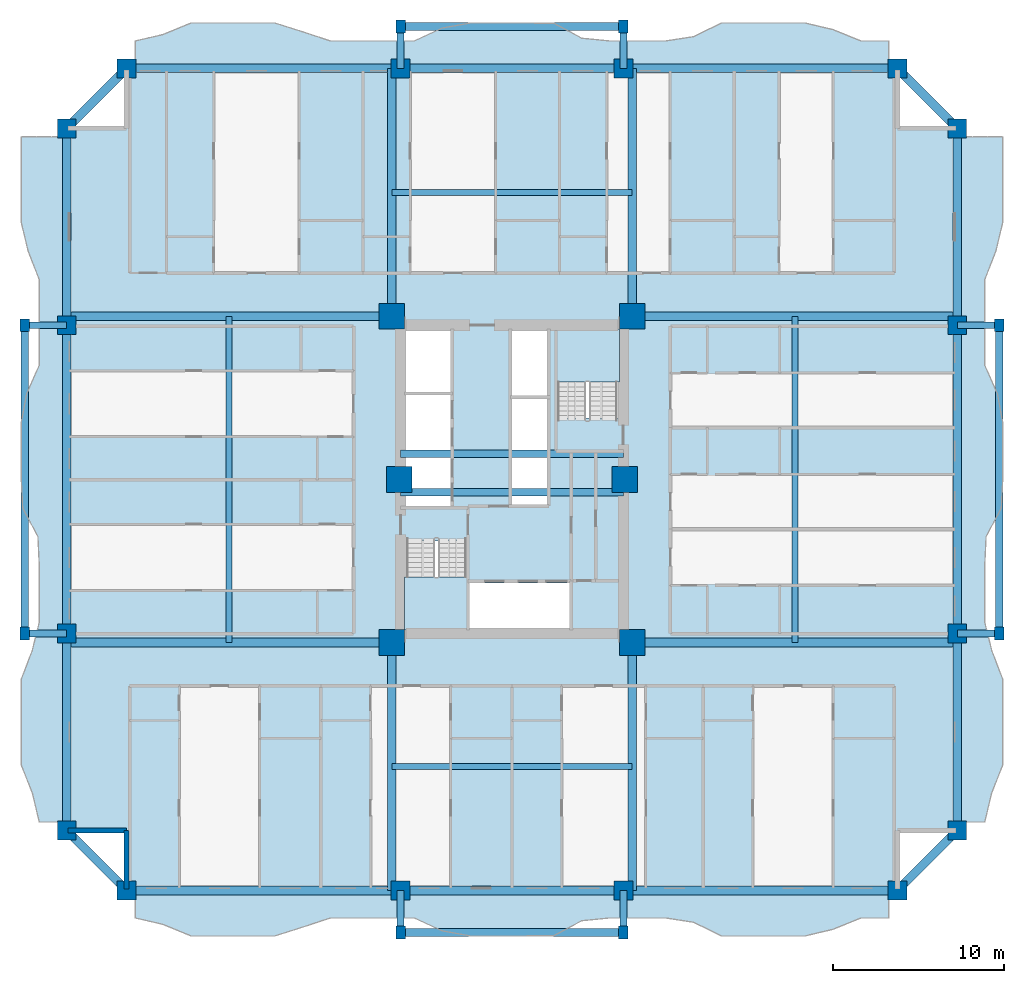
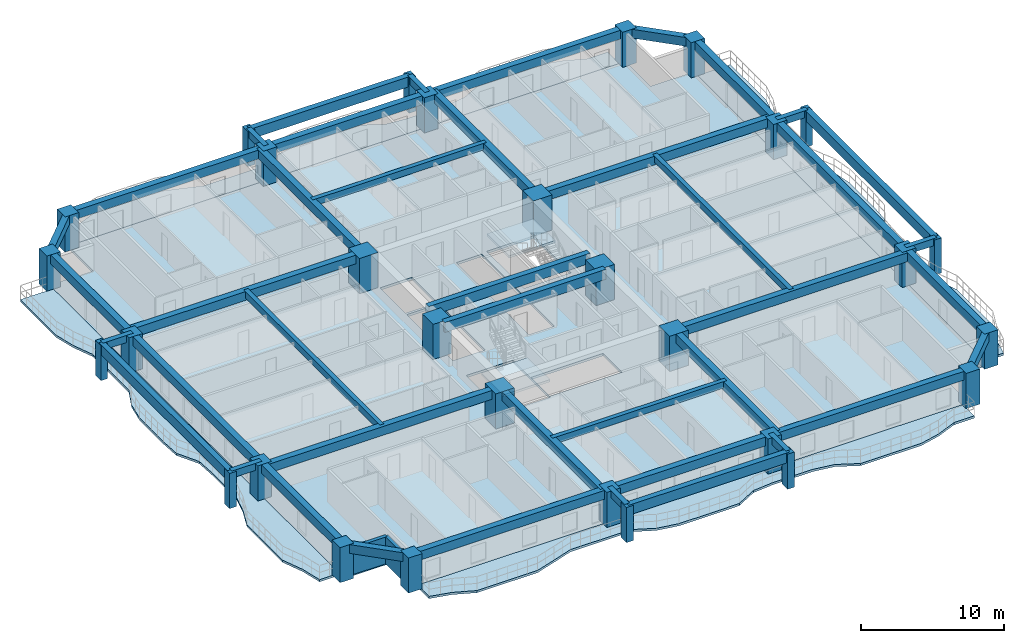
# One storey, part 1 of 16: 42 beams, 30 columns, 7 slabs, 2 walls, 2 elements without a shape of their own.
"""IFC4 building model written with IfcOpenShell, lengths in metres."""

from ifc_helpers import new_model, si_unit, direction, frame, frame_2d, origin, origin_2d, place, context, subcontext, project, spatial, polyline, rectangle, outline, extrude, source, transform, mapped, material, layer, layer_set, material_profile, profile_set, type_object, element, aggregate, save


model = new_model("IFC4")

# Units and contexts
model_context = context("Model", 3, precision=1e-05, world=origin(), true_north=direction((0.0, 1.0)))
body_context = subcontext(model_context, "Body", "Model", "MODEL_VIEW")
ifc_project = project(units=[si_unit("LENGTHUNIT", "METRE"), si_unit("AREAUNIT", "SQUARE_METRE"), si_unit("VOLUMEUNIT", "CUBIC_METRE"), si_unit("PLANEANGLEUNIT", "RADIAN"), si_unit("MASSUNIT", "GRAM", prefix="KILO")], contexts=[model_context])

# Site, building, storey
site_placement = place(None, origin())
site = spatial("IfcSite", under=ifc_project, at=site_placement, CompositionType="ELEMENT")
building_placement = place(site_placement, origin())
building = spatial("IfcBuilding", under=site, at=building_placement, Name="Saelheon Loggia Tower", CompositionType="ELEMENT")
storey_placement = place(building_placement, frame((0.0, 0.0, 37.39990234375)))
storey = spatial("IfcBuildingStorey", under=building, at=storey_placement, Name="L11", CompositionType="ELEMENT", Elevation=37.39990234375)

# Columns
ifc_material_1 = material(Name="Concrete C60/75", Category="concrete")
ifc_material_profile_1 = material_profile(ifc_material_1, rectangle(XDim=1.5, YDim=1.5, at=origin_2d()), Name="RC-1500x1500")
ifc_profile_set_1 = profile_set([ifc_material_profile_1], Name="Concrete C60/75")
column_type_1 = type_object("IfcColumnType", Name="Col_Core_RC1500", PredefinedType="COLUMN", material=ifc_profile_set_1)
shared_shape_1 = source(origin(), body_context, "Body", "SweptSolid", [
    extrude(rectangle(XDim=1.5, YDim=1.5, at=origin_2d()), origin(), (0.0, 0.0, 1.0), 3.0),
])
for number, where, z_axis, x_axis, name in (
    (1, (30.97998046875, 17.47998046875, 0.0), (0.0, 0.0, 1.0), (1.0, 0.0, 0.0), "L11 Core Column CR-SW"),
    (2, (45.02001953125, 17.47998046875, 0.0), (0.0, 0.0, 1.0), (1.0, 0.0, 0.0), "L11 Core Column CR-SE"),
    (3, (30.97998046875, 36.52001953125, 0.0), (0.0, 0.0, 1.0), (1.0, 0.0, 0.0), "L11 Core Column CR-NW"),
    (4, (45.02001953125, 36.52001953125, 0.0), (0.0, 0.0, 1.0), (1.0, 0.0, 0.0), "L11 Core Column CR-NE"),
    (5, (31.419921875, 27.0, 0.0), (0.0, 0.0, 1.0), (1.0, 0.0, 0.0), "L11 Core Column CR-MW"),
    (6, (44.580078125, 27.0, 0.0), (0.0, 0.0, 1.0), (1.0, 0.0, 0.0), "L11 Core Column CR-ME"),
):
    element("IfcColumn", number, at=place(storey_placement, frame(where, z_axis=z_axis, x_axis=x_axis)), inside=storey, type_object=column_type_1, Name=name, PredefinedType="COLUMN", context=body_context, shape_type="MappedRepresentation", body=[
        mapped(shared_shape_1, transform((0.0, 0.0, 0.0), scale=1.0)),
    ])
ifc_material_2 = material(Name="Concrete C50/60", Category="concrete")
ifc_material_profile_2 = material_profile(ifc_material_2, rectangle(XDim=1.10009765625, YDim=1.10009765625, at=origin_2d()), Name="RC-1100x1100")
ifc_profile_set_2 = profile_set([ifc_material_profile_2], Name="Concrete C50/60")
column_type_2 = type_object("IfcColumnType", Name="Col_PerimExt_RC1100", PredefinedType="COLUMN", material=ifc_profile_set_2)
shared_shape_2 = source(origin(), body_context, "Body", "SweptSolid", [
    extrude(rectangle(XDim=1.10009765625, YDim=1.10009765625, at=origin_2d()), origin(), (0.0, 0.0, 1.0), 3.0),
])
for number, where, z_axis, x_axis, name in (
    (7, (15.5, 3.0, 0.0), (0.0, 0.0, 1.0), (1.0, 0.0, 0.0), "L11 Perimeter Column TP-S1"),
    (8, (31.5, 3.0, 0.0), (0.0, 0.0, 1.0), (1.0, 0.0, 0.0), "L11 Perimeter Column TP-SA"),
    (9, (44.5, 3.0, 0.0), (0.0, 0.0, 1.0), (1.0, 0.0, 0.0), "L11 Perimeter Column TP-SB"),
    (10, (60.5, 3.0, 0.0), (0.0, 0.0, 1.0), (1.0, 0.0, 0.0), "L11 Perimeter Column TP-S2"),
    (11, (64.0, 6.5, 0.0), (0.0, 0.0, 1.0), (1.0, 0.0, 0.0), "L11 Perimeter Column TP-E1"),
    (12, (64.0, 18.0, 0.0), (0.0, 0.0, 1.0), (1.0, 0.0, 0.0), "L11 Perimeter Column TP-EA"),
    (13, (64.0, 36.0, 0.0), (0.0, 0.0, 1.0), (1.0, 0.0, 0.0), "L11 Perimeter Column TP-EB"),
    (14, (64.0, 47.5, 0.0), (0.0, 0.0, 1.0), (1.0, 0.0, 0.0), "L11 Perimeter Column TP-E2"),
    (15, (60.5, 51.0, 0.0), (0.0, 0.0, 1.0), (1.0, 0.0, 0.0), "L11 Perimeter Column TP-N2"),
    (16, (44.5, 51.0, 0.0), (0.0, 0.0, 1.0), (1.0, 0.0, 0.0), "L11 Perimeter Column TP-NB"),
    (17, (31.5, 51.0, 0.0), (0.0, 0.0, 1.0), (1.0, 0.0, 0.0), "L11 Perimeter Column TP-NA"),
    (18, (15.5, 51.0, 0.0), (0.0, 0.0, 1.0), (1.0, 0.0, 0.0), "L11 Perimeter Column TP-N1"),
    (19, (12.0, 47.5, 0.0), (0.0, 0.0, 1.0), (1.0, 0.0, 0.0), "L11 Perimeter Column TP-W2"),
    (20, (12.0, 36.0, 0.0), (0.0, 0.0, 1.0), (1.0, 0.0, 0.0), "L11 Perimeter Column TP-WB"),
    (21, (12.0, 18.0, 0.0), (0.0, 0.0, 1.0), (1.0, 0.0, 0.0), "L11 Perimeter Column TP-WA"),
    (22, (12.0, 6.5, 0.0), (0.0, 0.0, 1.0), (1.0, 0.0, 0.0), "L11 Perimeter Column TP-W1"),
):
    element("IfcColumn", number, at=place(storey_placement, frame(where, z_axis=z_axis, x_axis=x_axis)), inside=storey, type_object=column_type_2, Name=name, PredefinedType="COLUMN", context=body_context, shape_type="MappedRepresentation", body=[
        mapped(shared_shape_2, transform((0.0, 0.0, 0.0), scale=1.0)),
    ])
ifc_material_3 = material(Name="Precast Concrete C45/55", Category="concrete")
ifc_material_profile_3 = material_profile(ifc_material_3, rectangle(XDim=0.550048828125, YDim=0.75, at=origin_2d()), Name="RC-550x750")
ifc_profile_set_3 = profile_set([ifc_material_profile_3], Name="Precast Concrete C45/55")
column_type_3 = type_object("IfcColumnType", Name="Col_Loggia_Pilaster_750", PredefinedType="PILASTER", material=ifc_profile_set_3)
shared_shape_3 = source(origin(), body_context, "Body", "SweptSolid", [
    extrude(rectangle(XDim=0.550048828125, YDim=0.75, at=origin_2d()), origin(), (0.0, 0.0, 1.0), 3.0),
])
for number, where, z_axis, x_axis, name in (
    (23, (31.5, 0.550048828125, 0.0), (0.0, 0.0, 1.0), (1.0, 0.0, 0.0), "L11 Loggia Frame Pilaster LP-S1"),
    (24, (44.5, 0.550048828125, 0.0), (0.0, 0.0, 1.0), (1.0, 0.0, 0.0), "L11 Loggia Frame Pilaster LP-S2"),
    (25, (31.5, 53.449951171875, 0.0), (0.0, 0.0, 1.0), (1.0, 0.0, 0.0), "L11 Loggia Frame Pilaster LP-N1"),
    (26, (44.5, 53.449951171875, 0.0), (0.0, 0.0, 1.0), (1.0, 0.0, 0.0), "L11 Loggia Frame Pilaster LP-N2"),
    (27, (66.449951171875, 18.0, 0.0), (0.0, 0.0, 1.0), (1.0, 0.0, 0.0), "L11 Loggia Frame Pilaster LP-E1"),
    (28, (66.449951171875, 36.0, 0.0), (0.0, 0.0, 1.0), (1.0, 0.0, 0.0), "L11 Loggia Frame Pilaster LP-E2"),
    (29, (9.550048828125, 18.0, 0.0), (0.0, 0.0, 1.0), (1.0, 0.0, 0.0), "L11 Loggia Frame Pilaster LP-W1"),
    (30, (9.550048828125, 36.0, 0.0), (0.0, 0.0, 1.0), (1.0, 0.0, 0.0), "L11 Loggia Frame Pilaster LP-W2"),
):
    element("IfcColumn", number, at=place(storey_placement, frame(where, z_axis=z_axis, x_axis=x_axis)), inside=storey, type_object=column_type_3, Name=name, PredefinedType="PILASTER", context=body_context, shape_type="MappedRepresentation", body=[
        mapped(shared_shape_3, transform((0.0, 0.0, 0.0), scale=1.0)),
    ])

# Beams
ifc_material_profile_4 = material_profile(ifc_material_2, rectangle(XDim=0.449951171875, YDim=0.85009765625, at=origin_2d()), Name="RC-450x850")
ifc_profile_set_4 = profile_set([ifc_material_profile_4], Name="Concrete C50/60")
beam_type_1 = type_object("IfcBeamType", Name="Beam_CoreLintel_RC450x850", PredefinedType="LINTEL", material=ifc_profile_set_4)
shared_shape_4 = source(origin(), body_context, "Body", "SweptSolid", [
    extrude(rectangle(XDim=0.449951171875, YDim=0.85009765625, at=origin_2d()), origin(), (0.0, 0.0, 1.0), 13.0),
])
for number, where, z_axis, x_axis, name in (
    (31, (31.5, 26.25, 2.5751953125), (1.0, 0.0, 0.0), (0.0, 1.0, 0.0), "L11 Core Coupling Lintel 1"),
    (32, (31.5, 28.5, 2.5751953125), (1.0, 0.0, 0.0), (0.0, 1.0, 0.0), "L11 Core Coupling Lintel 2"),
):
    element("IfcBeam", number, at=place(storey_placement, frame(where, z_axis=z_axis, x_axis=x_axis)), inside=storey, type_object=beam_type_1, Name=name, PredefinedType="LINTEL", context=body_context, shape_type="MappedRepresentation", body=[
        mapped(shared_shape_4, transform((0.0, 0.0, 0.0), scale=1.0)),
    ])
ifc_material_profile_5 = material_profile(ifc_material_3, rectangle(XDim=0.449951171875, YDim=0.85009765625, at=origin_2d()), Name="RC-450x850")
ifc_profile_set_5 = profile_set([ifc_material_profile_5], Name="Precast Concrete C45/55")
beam_type_2 = type_object("IfcBeamType", Name="Beam_LoggiaSpandrel_RC450x850", PredefinedType="SPANDREL", material=ifc_profile_set_5)
for number, where, z_axis, x_axis, name in (
    (33, (31.5, 0.550048828125, 2.5751953125), (1.0, 0.0, 0.0), (0.0, 1.0, 0.0), "L11 Loggia Spandrel Beam S"),
    (34, (31.5, 53.449951171875, 2.5751953125), (1.0, 0.0, 0.0), (0.0, 1.0, 0.0), "L11 Loggia Spandrel Beam N"),
):
    element("IfcBeam", number, at=place(storey_placement, frame(where, z_axis=z_axis, x_axis=x_axis)), inside=storey, type_object=beam_type_2, Name=name, PredefinedType="SPANDREL", context=body_context, shape_type="MappedRepresentation", body=[
        mapped(shared_shape_4, transform((0.0, 0.0, 0.0), scale=1.0)),
    ])
ifc_material_4 = material(Name="Concrete C45/55", Category="concrete")
ifc_material_profile_6 = material_profile(ifc_material_4, rectangle(XDim=0.5, YDim=0.75, at=origin_2d()), Name="RC-500x750")
ifc_profile_set_6 = profile_set([ifc_material_profile_6], Name="Concrete C45/55")
beam_type_3 = type_object("IfcBeamType", Name="Beam_FloorGirder_RC500x750", PredefinedType="BEAM", material=ifc_profile_set_6)
shared_shape_5 = source(origin(), body_context, "Body", "SweptSolid", [
    extrude(rectangle(XDim=0.5, YDim=0.75, at=origin_2d()), origin(), (0.0, 0.0, 1.0), 14.47998046875),
])
for number, where, z_axis, x_axis, name in (
    (35, (30.97998046875, 17.47998046875, 2.625), (0.0, -1.0, 0.0), (1.0, 0.0, 0.0), "L11 Radial Floor Girder RAD-SW-S"),
    (36, (45.02001953125, 17.47998046875, 2.625), (0.0, -1.0, 0.0), (1.0, 0.0, 0.0), "L11 Radial Floor Girder RAD-SE-S"),
    (37, (30.97998046875, 36.52001953125, 2.625), (0.0, 1.0, 0.0), (-1.0, 0.0, 0.0), "L11 Radial Floor Girder RAD-NW-N"),
    (38, (45.02001953125, 36.52001953125, 2.625), (0.0, 1.0, 0.0), (-1.0, 0.0, 0.0), "L11 Radial Floor Girder RAD-NE-N"),
):
    element("IfcBeam", number, at=place(storey_placement, frame(where, z_axis=z_axis, x_axis=x_axis)), inside=storey, type_object=beam_type_3, Name=name, PredefinedType="BEAM", context=body_context, shape_type="MappedRepresentation", body=[
        mapped(shared_shape_5, transform((0.0, 0.0, 0.0), scale=1.0)),
    ])
ifc_material_profile_7 = material_profile(ifc_material_4, rectangle(XDim=0.5, YDim=0.75, at=origin_2d()), Name="RC-500x750")
ifc_profile_set_7 = profile_set([ifc_material_profile_7], Name="Concrete C45/55")
beam_type_4 = type_object("IfcBeamType", Name="Beam_PerimGirder_RC500x750", PredefinedType="BEAM", material=ifc_profile_set_7)
shared_shape_6 = source(origin(), body_context, "Body", "SweptSolid", [
    extrude(rectangle(XDim=0.5, YDim=0.75, at=origin_2d()), origin(), (0.0, 0.0, 1.0), 16.0),
])
for number, where, z_axis, x_axis, name in (
    (39, (15.5, 3.0, 2.625), (1.0, 0.0, 0.0), (0.0, 1.0, 0.0), "L11 Perimeter Frame Girder 01"),
    (40, (44.5, 3.0, 2.625), (1.0, 0.0, 0.0), (0.0, 1.0, 0.0), "L11 Perimeter Frame Girder 03"),
    (41, (60.5, 51.0, 2.625), (-1.0, 0.0, 0.0), (0.0, -1.0, 0.0), "L11 Perimeter Frame Girder 09"),
    (42, (31.5, 51.0, 2.625), (-1.0, 0.0, 0.0), (0.0, -1.0, 0.0), "L11 Perimeter Frame Girder 11"),
):
    element("IfcBeam", number, at=place(storey_placement, frame(where, z_axis=z_axis, x_axis=x_axis)), inside=storey, type_object=beam_type_4, Name=name, PredefinedType="BEAM", context=body_context, shape_type="MappedRepresentation", body=[
        mapped(shared_shape_6, transform((0.0, 0.0, 0.0), scale=1.0)),
    ])
shared_shape_7 = source(origin(), body_context, "Body", "SweptSolid", [
    extrude(rectangle(XDim=0.5, YDim=0.75, at=origin_2d()), origin(), (0.0, 0.0, 1.0), 13.0),
])
for number, where, z_axis, x_axis, name in (
    (43, (31.5, 3.0, 2.625), (1.0, 0.0, 0.0), (0.0, 1.0, 0.0), "L11 Perimeter Frame Girder 02"),
    (44, (44.5, 51.0, 2.625), (-1.0, 0.0, 0.0), (0.0, -1.0, 0.0), "L11 Perimeter Frame Girder 10"),
):
    element("IfcBeam", number, at=place(storey_placement, frame(where, z_axis=z_axis, x_axis=x_axis)), inside=storey, type_object=beam_type_4, Name=name, PredefinedType="BEAM", context=body_context, shape_type="MappedRepresentation", body=[
        mapped(shared_shape_7, transform((0.0, 0.0, 0.0), scale=1.0)),
    ])
shared_shape_8 = source(origin(), body_context, "Body", "SweptSolid", [
    extrude(rectangle(XDim=0.5, YDim=0.75, at=origin_2d()), origin(), (0.0, 0.0, 1.0), 4.94970703125),
])
for number, where, z_axis, x_axis, name in (
    (45, (60.5, 3.0, 2.625), (0.707106781187, 0.707106781187, 0.0), (-0.707106781187, 0.707106781187, 0.0), "L11 Perimeter Frame Girder 04"),
    (46, (64.0, 47.5, 2.625), (-0.707106781187, 0.707106781187, 0.0), (-0.707106781187, -0.707106781187, 0.0), "L11 Perimeter Frame Girder 08"),
    (47, (15.5, 51.0, 2.625), (-0.707106781187, -0.707106781187, 0.0), (0.707106781187, -0.707106781187, 0.0), "L11 Perimeter Frame Girder 12"),
    (48, (12.0, 6.5, 2.625), (0.707106781187, -0.707106781187, 0.0), (0.707106781187, 0.707106781187, 0.0), "L11 Perimeter Frame Girder 16"),
):
    element("IfcBeam", number, at=place(storey_placement, frame(where, z_axis=z_axis, x_axis=x_axis)), inside=storey, type_object=beam_type_4, Name=name, PredefinedType="BEAM", context=body_context, shape_type="MappedRepresentation", body=[
        mapped(shared_shape_8, transform((0.0, 0.0, 0.0), scale=1.0)),
    ])
shared_shape_9 = source(origin(), body_context, "Body", "SweptSolid", [
    extrude(rectangle(XDim=0.5, YDim=0.75, at=origin_2d()), origin(), (0.0, 0.0, 1.0), 11.5),
])
for number, where, z_axis, x_axis, name in (
    (49, (64.0, 6.5, 2.625), (0.0, 1.0, 0.0), (-1.0, 0.0, 0.0), "L11 Perimeter Frame Girder 05"),
    (50, (64.0, 36.0, 2.625), (0.0, 1.0, 0.0), (-1.0, 0.0, 0.0), "L11 Perimeter Frame Girder 07"),
    (51, (12.0, 47.5, 2.625), (0.0, -1.0, 0.0), (1.0, 0.0, 0.0), "L11 Perimeter Frame Girder 13"),
    (52, (12.0, 18.0, 2.625), (0.0, -1.0, 0.0), (1.0, 0.0, 0.0), "L11 Perimeter Frame Girder 15"),
):
    element("IfcBeam", number, at=place(storey_placement, frame(where, z_axis=z_axis, x_axis=x_axis)), inside=storey, type_object=beam_type_4, Name=name, PredefinedType="BEAM", context=body_context, shape_type="MappedRepresentation", body=[
        mapped(shared_shape_9, transform((0.0, 0.0, 0.0), scale=1.0)),
    ])
shared_shape_10 = source(origin(), body_context, "Body", "SweptSolid", [
    extrude(rectangle(XDim=0.5, YDim=0.75, at=origin_2d()), origin(), (0.0, 0.0, 1.0), 18.0),
])
for number, where, z_axis, x_axis, name in (
    (53, (64.0, 18.0, 2.625), (0.0, 1.0, 0.0), (-1.0, 0.0, 0.0), "L11 Perimeter Frame Girder 06"),
    (54, (12.0, 36.0, 2.625), (0.0, -1.0, 0.0), (1.0, 0.0, 0.0), "L11 Perimeter Frame Girder 14"),
):
    element("IfcBeam", number, at=place(storey_placement, frame(where, z_axis=z_axis, x_axis=x_axis)), inside=storey, type_object=beam_type_4, Name=name, PredefinedType="BEAM", context=body_context, shape_type="MappedRepresentation", body=[
        mapped(shared_shape_10, transform((0.0, 0.0, 0.0), scale=1.0)),
    ])
shared_shape_11 = source(origin(), body_context, "Body", "SweptSolid", [
    extrude(rectangle(XDim=0.5, YDim=0.75, at=origin_2d()), origin(), (0.0, 0.0, 1.0), 18.97998046875),
])
for number, where, z_axis, x_axis, name in (
    (55, (30.97998046875, 17.47998046875, 2.625), (-1.0, 0.0, 0.0), (0.0, -1.0, 0.0), "L11 Radial Floor Girder RAD-SW-W"),
    (56, (30.97998046875, 36.52001953125, 2.625), (-1.0, 0.0, 0.0), (0.0, -1.0, 0.0), "L11 Radial Floor Girder RAD-NW-W"),
    (57, (45.02001953125, 17.47998046875, 2.625), (1.0, 0.0, 0.0), (0.0, 1.0, 0.0), "L11 Radial Floor Girder RAD-SE-E"),
    (58, (45.02001953125, 36.52001953125, 2.625), (1.0, 0.0, 0.0), (0.0, 1.0, 0.0), "L11 Radial Floor Girder RAD-NE-E"),
):
    element("IfcBeam", number, at=place(storey_placement, frame(where, z_axis=z_axis, x_axis=x_axis)), inside=storey, type_object=beam_type_3, Name=name, PredefinedType="BEAM", context=body_context, shape_type="MappedRepresentation", body=[
        mapped(shared_shape_11, transform((0.0, 0.0, 0.0), scale=1.0)),
    ])
ifc_material_5 = material(Name="Concrete C40/50", Category="concrete")
ifc_material_profile_8 = material_profile(ifc_material_5, rectangle(XDim=0.35009765625, YDim=0.550048828125, at=origin_2d()), Name="RC-350x550")
ifc_profile_set_8 = profile_set([ifc_material_profile_8], Name="Concrete C40/50")
beam_type_5 = type_object("IfcBeamType", Name="Beam_Joist_RC350x550", PredefinedType="JOIST", material=ifc_profile_set_8)
shared_shape_12 = source(origin(), body_context, "Body", "SweptSolid", [
    extrude(rectangle(XDim=0.35009765625, YDim=0.550048828125, at=origin_2d()), origin(), (0.0, 0.0, 1.0), 14.0400390625),
])
for number, where, z_axis, x_axis, name in (
    (59, (30.97998046875, 10.239990234375, 2.72509765625), (1.0, 0.0, 0.0), (0.0, 1.0, 0.0), "L11 South Floor Joist"),
    (60, (30.97998046875, 43.760009765625, 2.72509765625), (1.0, 0.0, 0.0), (0.0, 1.0, 0.0), "L11 North Floor Joist"),
):
    element("IfcBeam", number, at=place(storey_placement, frame(where, z_axis=z_axis, x_axis=x_axis)), inside=storey, type_object=beam_type_5, Name=name, PredefinedType="JOIST", context=body_context, shape_type="MappedRepresentation", body=[
        mapped(shared_shape_12, transform((0.0, 0.0, 0.0), scale=1.0)),
    ])
shared_shape_13 = source(origin(), body_context, "Body", "SweptSolid", [
    extrude(rectangle(XDim=0.35009765625, YDim=0.550048828125, at=origin_2d()), origin(), (0.0, 0.0, 1.0), 19.0400390625),
])
for number, where, z_axis, x_axis, name in (
    (61, (21.489990234375, 17.47998046875, 2.72509765625), (0.0, 1.0, 0.0), (-1.0, 0.0, 0.0), "L11 West Floor Joist"),
    (62, (54.510009765625, 17.47998046875, 2.72509765625), (0.0, 1.0, 0.0), (-1.0, 0.0, 0.0), "L11 East Floor Joist"),
):
    element("IfcBeam", number, at=place(storey_placement, frame(where, z_axis=z_axis, x_axis=x_axis)), inside=storey, type_object=beam_type_5, Name=name, PredefinedType="JOIST", context=body_context, shape_type="MappedRepresentation", body=[
        mapped(shared_shape_13, transform((0.0, 0.0, 0.0), scale=1.0)),
    ])
ifc_material_profile_9 = material_profile(ifc_material_3, rectangle(XDim=0.39990234375, YDim=0.60009765625, at=origin_2d()), Name="RC-400x600")
ifc_profile_set_9 = profile_set([ifc_material_profile_9], Name="Precast Concrete C45/55")
beam_type_6 = type_object("IfcBeamType", Name="Beam_LoggiaTie_RC400x600", PredefinedType="BEAM", material=ifc_profile_set_9)
shared_shape_14 = source(origin(), body_context, "Body", "SweptSolid", [
    extrude(rectangle(XDim=0.39990234375, YDim=0.60009765625, at=origin_2d()), origin(), (0.0, 0.0, 1.0), 2.449951171875),
])
for number, where, z_axis, x_axis, name in (
    (63, (31.5, 3.0, 2.7001953125), (0.0, -1.0, 0.0), (1.0, 0.0, 0.0), "L11 Loggia Frame Tie Beam LP-S1"),
    (64, (44.5, 3.0, 2.7001953125), (0.0, -1.0, 0.0), (1.0, 0.0, 0.0), "L11 Loggia Frame Tie Beam LP-S2"),
    (65, (31.5, 51.0, 2.7001953125), (0.0, 1.0, 0.0), (-1.0, 0.0, 0.0), "L11 Loggia Frame Tie Beam LP-N1"),
    (66, (44.5, 51.0, 2.7001953125), (0.0, 1.0, 0.0), (-1.0, 0.0, 0.0), "L11 Loggia Frame Tie Beam LP-N2"),
    (67, (64.0, 18.0, 2.7001953125), (1.0, 0.0, 0.0), (0.0, 1.0, 0.0), "L11 Loggia Frame Tie Beam LP-E1"),
    (68, (64.0, 36.0, 2.7001953125), (1.0, 0.0, 0.0), (0.0, 1.0, 0.0), "L11 Loggia Frame Tie Beam LP-E2"),
    (69, (12.0, 18.0, 2.7001953125), (-1.0, 0.0, 0.0), (0.0, -1.0, 0.0), "L11 Loggia Frame Tie Beam LP-W1"),
    (70, (12.0, 36.0, 2.7001953125), (-1.0, 0.0, 0.0), (0.0, -1.0, 0.0), "L11 Loggia Frame Tie Beam LP-W2"),
):
    element("IfcBeam", number, at=place(storey_placement, frame(where, z_axis=z_axis, x_axis=x_axis)), inside=storey, type_object=beam_type_6, Name=name, PredefinedType="BEAM", context=body_context, shape_type="MappedRepresentation", body=[
        mapped(shared_shape_14, transform((0.0, 0.0, 0.0), scale=1.0)),
    ])
shared_shape_15 = source(origin(), body_context, "Body", "SweptSolid", [
    extrude(rectangle(XDim=0.449951171875, YDim=0.85009765625, at=origin_2d()), origin(), (0.0, 0.0, 1.0), 18.0),
])
for number, where, z_axis, x_axis, name in (
    (71, (66.449951171875, 18.0, 2.5751953125), (0.0, 1.0, 0.0), (-1.0, 0.0, 0.0), "L11 Loggia Spandrel Beam E"),
    (72, (9.550048828125, 18.0, 2.5751953125), (0.0, 1.0, 0.0), (-1.0, 0.0, 0.0), "L11 Loggia Spandrel Beam W"),
):
    element("IfcBeam", number, at=place(storey_placement, frame(where, z_axis=z_axis, x_axis=x_axis)), inside=storey, type_object=beam_type_2, Name=name, PredefinedType="SPANDREL", context=body_context, shape_type="MappedRepresentation", body=[
        mapped(shared_shape_15, transform((0.0, 0.0, 0.0), scale=1.0)),
    ])

# Slabs
ifc_layer_1 = layer(ifc_material_3, 0.18994140625)
ifc_layer_set_1 = layer_set([ifc_layer_1], Name="Precast Concrete C45/55")
slab_type_1 = type_object("IfcSlabType", Name="Slab_Loggia_Ext_190", PredefinedType="FLOOR", material=ifc_layer_set_1)
slab_1_placement = place(storey_placement, frame((0.0, 0.0, -0.18994140625)))
element("IfcSlab", 73, at=slab_1_placement, inside=storey, type_object=slab_type_1, Name="L11 Loggia Balcony Slab S", PredefinedType="FLOOR", context=body_context, shape_type="SweptSolid", body=[
    extrude(outline(polyline([(16.0, 1.39990234375), (17.629638671875, 1.023681640625), (19.25927734375, 0.35009765625), (20.888916015625, 0.35009765625), (22.5185546875, 0.35009765625), (24.148193359375, 0.35009765625), (25.77783203125, 0.864990234375), (27.407470703125, 1.39990234375), (29.037109375, 1.39990234375), (30.666748046875, 1.39990234375), (32.29638671875, 1.39990234375), (33.92578125, 0.646484375), (35.5556640625, 0.35009765625), (37.185302734375, 0.35009765625), (38.814697265625, 0.35009765625), (40.4443359375, 0.368408203125), (42.07421875, 1.238037109375), (43.70361328125, 1.39990234375), (45.333251953125, 1.39990234375), (46.962890625, 1.39990234375), (48.592529296875, 1.150390625), (50.22216796875, 0.35009765625), (51.851806640625, 0.35009765625), (53.4814453125, 0.35009765625), (55.111083984375, 0.35009765625), (56.74072265625, 0.736328125), (58.370361328125, 1.39990234375), (60.0, 1.39990234375), (60.0, 3.0), (16.0, 3.0), (16.0, 1.39990234375)])), origin(), (0.0, 0.0, 1.0), 0.18994140625),
])
slab_2_placement = place(storey_placement, frame((0.0, 0.0, -0.18994140625)))
element("IfcSlab", 74, at=slab_2_placement, inside=storey, type_object=slab_type_1, Name="L11 Loggia Balcony Slab N", PredefinedType="FLOOR", context=body_context, shape_type="SweptSolid", body=[
    extrude(outline(polyline([(16.0, 51.0), (60.0, 51.0), (60.0, 52.60009765625), (58.370361328125, 52.60009765625), (56.74072265625, 53.263671875), (55.111083984375, 53.64990234375), (53.4814453125, 53.64990234375), (51.851806640625, 53.64990234375), (50.22216796875, 53.64990234375), (48.592529296875, 52.849609375), (46.962890625, 52.60009765625), (45.333251953125, 52.60009765625), (43.70361328125, 52.60009765625), (42.07421875, 52.761962890625), (40.4443359375, 53.631591796875), (38.814697265625, 53.64990234375), (37.185302734375, 53.64990234375), (35.5556640625, 53.64990234375), (33.92578125, 53.353515625), (32.29638671875, 52.60009765625), (30.666748046875, 52.60009765625), (29.037109375, 52.60009765625), (27.407470703125, 52.60009765625), (25.77783203125, 53.135009765625), (24.148193359375, 53.64990234375), (22.5185546875, 53.64990234375), (20.888916015625, 53.64990234375), (19.25927734375, 53.64990234375), (17.629638671875, 52.976318359375), (16.0, 52.60009765625), (16.0, 51.0)])), origin(), (0.0, 0.0, 1.0), 0.18994140625),
])
slab_3_placement = place(storey_placement, frame((0.0, 0.0, -0.18994140625)))
element("IfcSlab", 75, at=slab_3_placement, inside=storey, type_object=slab_type_1, Name="L11 Loggia Balcony Slab E", PredefinedType="FLOOR", context=body_context, shape_type="SweptSolid", body=[
    extrude(outline(polyline([(64.0, 7.0), (65.60009765625, 7.0), (65.996337890625, 8.666748046875), (66.64990234375, 10.333251953125), (66.64990234375, 12.0), (66.64990234375, 13.666748046875), (66.64990234375, 15.333251953125), (66.014404296875, 17.0), (65.60009765625, 18.666748046875), (65.60009765625, 20.333251953125), (65.60009765625, 22.0), (65.6796875, 23.666748046875), (66.56884765625, 25.333251953125), (66.64990234375, 27.0), (66.64990234375, 28.666748046875), (66.64990234375, 30.333251953125), (66.339599609375, 32.0), (65.60009765625, 33.666748046875), (65.60009765625, 35.333251953125), (65.60009765625, 37.0), (65.60009765625, 38.666748046875), (66.24951171875, 40.333251953125), (66.64990234375, 42.0), (66.64990234375, 43.666748046875), (66.64990234375, 45.333251953125), (66.64990234375, 47.0), (64.0, 47.0), (64.0, 7.0)])), origin(), (0.0, 0.0, 1.0), 0.18994140625),
])
slab_4_placement = place(storey_placement, frame((0.0, 0.0, -0.18994140625)))
element("IfcSlab", 76, at=slab_4_placement, inside=storey, type_object=slab_type_1, Name="L11 Loggia Balcony Slab W", PredefinedType="FLOOR", context=body_context, shape_type="SweptSolid", body=[
    extrude(outline(polyline([(12.0, 7.0), (12.0, 47.0), (9.35009765625, 47.0), (9.35009765625, 45.333251953125), (9.35009765625, 43.666748046875), (9.35009765625, 42.0), (9.75048828125, 40.333251953125), (10.39990234375, 38.666748046875), (10.39990234375, 37.0), (10.39990234375, 35.333251953125), (10.39990234375, 33.666748046875), (9.660400390625, 32.0), (9.35009765625, 30.333251953125), (9.35009765625, 28.666748046875), (9.35009765625, 27.0), (9.43115234375, 25.333251953125), (10.3203125, 23.666748046875), (10.39990234375, 22.0), (10.39990234375, 20.333251953125), (10.39990234375, 18.666748046875), (9.985595703125, 17.0), (9.35009765625, 15.333251953125), (9.35009765625, 13.666748046875), (9.35009765625, 12.0), (9.35009765625, 10.333251953125), (10.003662109375, 8.666748046875), (10.39990234375, 7.0), (12.0, 7.0)])), origin(), (0.0, 0.0, 1.0), 0.18994140625),
])

# Stair, slab
stair_type = type_object("IfcStairType", Name="Stair_Escape_Core", PredefinedType="HALF_TURN_STAIR", material=ifc_material_5)
stair_1_placement = place(storey_placement, origin())
stair_1 = element("IfcStair", 77, at=stair_1_placement, inside=storey, type_object=stair_type, Name="L11 Special Escape Stair ST1", PredefinedType="HALF_TURN_STAIR")
ifc_layer_2 = layer(ifc_material_5, 0.199951171875)
ifc_layer_set_2 = layer_set([ifc_layer_2], Name="Concrete C40/50")
slab_type_2 = type_object("IfcSlabType", Name="Slab_StairLanding_ST1", PredefinedType="LANDING", material=ifc_layer_set_2)
slab_5_placement = place(storey_placement, frame((0.0, 0.0, 1.300048828125)))
slab_5 = element("IfcSlab", 78, at=slab_5_placement, type_object=slab_type_2, Name="ST1 landing 1", PredefinedType="LANDING", context=body_context, shape_type="SweptSolid", body=[
    extrude(outline(polyline([(31.7099609375, 21.31005859375), (31.7099609375, 18.2099609375), (35.469970703125, 18.2099609375), (35.469970703125, 21.31005859375), (31.7099609375, 21.31005859375)])), origin(), (0.0, 0.0, 1.0), 0.199951171875),
])
aggregate(stair_1, [slab_5])

stair_2_placement = place(storey_placement, origin())
stair_2 = element("IfcStair", 79, at=stair_2_placement, inside=storey, type_object=stair_type, Name="L11 Special Escape Stair ST2", PredefinedType="HALF_TURN_STAIR")
ifc_layer_3 = layer(ifc_material_5, 0.199951171875)
ifc_layer_set_3 = layer_set([ifc_layer_3], Name="Concrete C40/50")
slab_type_3 = type_object("IfcSlabType", Name="Slab_StairLanding_ST2", PredefinedType="LANDING", material=ifc_layer_set_3)
slab_6_placement = place(storey_placement, frame((0.0, 0.0, 1.300048828125)))
slab_6 = element("IfcSlab", 80, at=slab_6_placement, type_object=slab_type_3, Name="ST2 landing 1", PredefinedType="LANDING", context=body_context, shape_type="SweptSolid", body=[
    extrude(outline(polyline([(44.2900390625, 32.68994140625), (44.2900390625, 35.7900390625), (40.530029296875, 35.7900390625), (40.530029296875, 32.68994140625), (44.2900390625, 32.68994140625)])), origin(), (0.0, 0.0, 1.0), 0.199951171875),
])
aggregate(stair_2, [slab_6])

# Slab
ifc_layer_4 = layer(ifc_material_5, 0.2099609375)
ifc_layer_set_4 = layer_set([ifc_layer_4], Name="Concrete C40/50")
slab_type_4 = type_object("IfcSlabType", Name="Slab_Tower_210", PredefinedType="FLOOR", material=ifc_layer_set_4)
slab_7_placement = place(storey_placement, frame((0.0, 0.0, -0.2099609375)))
element("IfcSlab", 81, at=slab_7_placement, inside=storey, type_object=slab_type_4, Name="L11 Tower Floor Slab", PredefinedType="FLOOR", context=body_context, shape_type="SweptSolid", body=[
    extrude(outline(polyline([(15.5, 3.0), (60.5, 3.0), (60.5, 6.5), (64.0, 6.5), (64.0, 47.5), (60.5, 47.5), (60.5, 51.0), (15.5, 51.0), (15.5, 47.5), (12.0, 47.5), (12.0, 6.5), (15.5, 6.5), (15.5, 3.0)]), holes=[polyline([(31.699951171875, 23.409912109375), (31.699951171875, 18.199951171875), (35.47998046875, 18.199951171875), (35.47998046875, 23.409912109375), (31.699951171875, 23.409912109375)]), polyline([(44.300048828125, 30.590087890625), (44.300048828125, 35.800048828125), (40.52001953125, 35.800048828125), (40.52001953125, 30.590087890625), (44.300048828125, 30.590087890625)]), polyline([(35.530029296875, 18.324951171875), (41.35009765625, 18.324951171875), (41.35009765625, 20.9599609375), (35.530029296875, 20.9599609375), (35.530029296875, 18.324951171875)]), polyline([(31.824951171875, 32.1201171875), (34.419921875, 32.1201171875), (34.419921875, 35.675048828125), (31.824951171875, 35.675048828125), (31.824951171875, 32.1201171875)]), polyline([(38.0, 31.89990234375), (40.050048828125, 31.89990234375), (40.050048828125, 35.675048828125), (38.0, 35.675048828125), (38.0, 31.89990234375)]), polyline([(31.824951171875, 25.449951171875), (34.419921875, 25.449951171875), (34.419921875, 31.919921875), (31.824951171875, 31.919921875), (31.824951171875, 25.449951171875)]), polyline([(38.0, 25.5400390625), (40.050048828125, 25.5400390625), (40.050048828125, 31.699951171875), (38.0, 31.699951171875), (38.0, 25.5400390625)])]), origin(), (0.0, 0.0, 1.0), 0.2099609375),
])

# Walls
ifc_material_6 = material(Name="Architectural Precast Concrete C40/50", Category="concrete")
ifc_layer_5 = layer(ifc_material_6, 0.280029296875)
ifc_layer_set_5 = layer_set([ifc_layer_5], Name="Architectural Precast Concrete C40/50")
wall_type = type_object("IfcWallType", Name="Wall_Ext_Loggia_280", PredefinedType="SOLIDWALL", material=ifc_layer_set_5)
for number, where, z_axis, x_axis, name in (
    (82, (15.5, 3.080078125, 0.0), (0.0, 0.0, 1.0), (0.0, 1.0, 0.0), "L11 Corner Notch Precast Wall SW1"),
    (83, (12.080078125, 6.5, 0.0), (0.0, 0.0, 1.0), (1.0, 0.0, 0.0), "L11 Corner Notch Precast Wall SW2"),
):
    element("IfcWall", number, at=place(storey_placement, frame(where, z_axis=z_axis, x_axis=x_axis)), inside=storey, type_object=wall_type, Name=name, PredefinedType="SOLIDWALL", context=body_context, shape_type="SweptSolid", body=[
        extrude(rectangle(XDim=3.419921875, YDim=0.280029296875, at=frame_2d((1.7099609375, 0.0))), origin(), (0.0, 0.0, 1.0), 2.280029296875),
    ])

save(model, "model.ifc")
